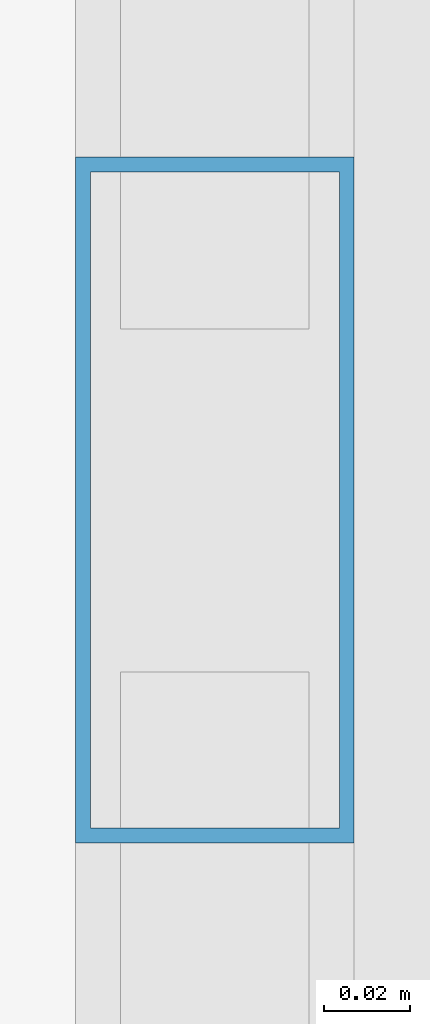
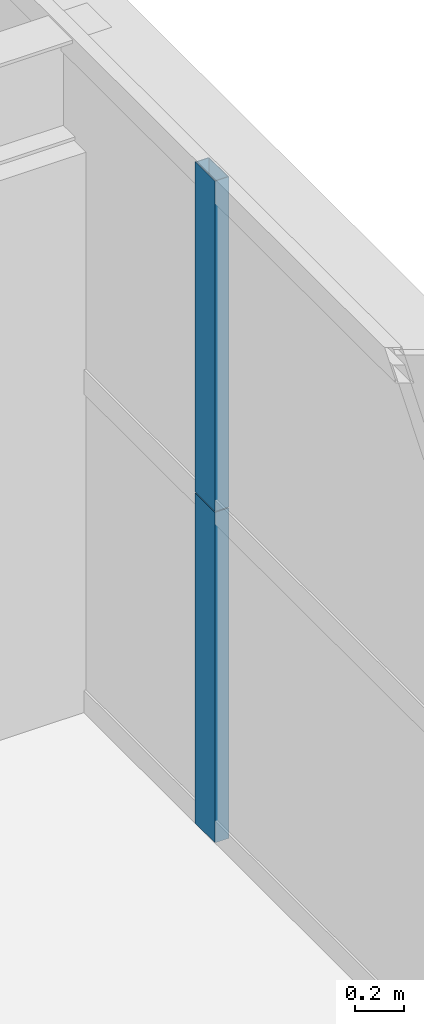
# One storey, part 18 of 38: 2 members, 1 element without a shape of its own.
"""IFC4 building model written with IfcOpenShell, lengths in metres."""

from ifc_helpers import new_model, si_unit, direction, frame, origin, origin_2d, place, context, subcontext, project, spatial, hollow_rectangle, extrude, source, transform, mapped, material, layer, layer_set, material_profile, profile_set, type_object, element, aggregate, save


model = new_model("IFC4")

# Units and contexts
model_context = context("Model", 3, precision=1e-05, world=origin(), true_north=direction((0.0, 1.0)))
body_context = subcontext(model_context, "Body", "Model", "MODEL_VIEW")
ifc_project = project(units=[si_unit("LENGTHUNIT", "METRE"), si_unit("AREAUNIT", "SQUARE_METRE"), si_unit("VOLUMEUNIT", "CUBIC_METRE"), si_unit("PLANEANGLEUNIT", "RADIAN"), si_unit("MASSUNIT", "GRAM", prefix="KILO"), si_unit("THERMODYNAMICTEMPERATUREUNIT", "KELVIN"), si_unit("POWERUNIT", "WATT")], contexts=[model_context])

# Site, building, storey
site_placement = place(None, origin())
site = spatial("IfcSite", under=ifc_project, at=site_placement, CompositionType="ELEMENT")
building_placement = place(site_placement, origin())
building = spatial("IfcBuilding", under=site, at=building_placement, Name="Yuzanri Waterfront Tower", CompositionType="ELEMENT")
storey_placement = place(building_placement, frame((0.0, 0.0, 188.0)))
storey = spatial("IfcBuildingStorey", under=building, at=storey_placement, Name="L49", CompositionType="ELEMENT", Elevation=188.0)

# Curtain wall, members
ifc_material_1 = material(Name="Anodized Architectural Bronze", Category="metal")
ifc_layer = layer(ifc_material_1, 0.159912109375)
ifc_layer_set = layer_set([ifc_layer], Name="Anodized Architectural Bronze")
curtain_wall_type = type_object("IfcCurtainWallType", Name="Anodized Bronze Mid-Rise Residential Acoustic Unitized Curtain Wall 7200", PredefinedType="NOTDEFINED", material=ifc_layer_set)
curtain_wall_placement = place(storey_placement, origin())
curtain_wall = element("IfcCurtainWall", 1, at=curtain_wall_placement, inside=storey, type_object=curtain_wall_type, Name="L49 Curtain Wall CW-L49-EL", PredefinedType="NOTDEFINED")
ifc_material_2 = material(Name="Anodized Architectural Bronze", Category="metal")
ifc_material_profile = material_profile(ifc_material_2, hollow_rectangle(XDim=0.06494140625, YDim=0.159912109375, WallThickness=0.00341796875, at=origin_2d()), Name="CWM 65x160")
ifc_profile_set = profile_set([ifc_material_profile], Name="Anodized Architectural Bronze")
member_type = type_object("IfcMemberType", Name="Anodized Bronze Upper-Zone Curtain-Wall Mullion 65x160", PredefinedType="MULLION", material=ifc_profile_set)
shared_shape = source(origin(), body_context, "Body", "SweptSolid", [
    extrude(hollow_rectangle(XDim=0.06494140625, YDim=0.159912109375, WallThickness=0.00341796875, at=origin_2d()), origin(), (0.0, 0.0, 1.0), 1.637939453125),
])
member_1_placement = place(storey_placement, frame((58.949951171875, 18.22509765625, 0.0), z_axis=(0.0, 0.0, 1.0), x_axis=(1.0, 0.0, 0.0)))
member_1 = element("IfcMember", 2, at=member_1_placement, type_object=member_type, Name="CW-L49-EL Lower Mullion 01", PredefinedType="MULLION", context=body_context, shape_type="MappedRepresentation", body=[
    mapped(shared_shape, transform((0.0, 0.0, 0.0), scale=1.0)),
])
member_2_placement = place(storey_placement, frame((58.949951171875, 18.22509765625, 1.64208984375), z_axis=(0.0, 0.0, 1.0), x_axis=(1.0, 0.0, 0.0)))
member_2 = element("IfcMember", 3, at=member_2_placement, type_object=member_type, Name="CW-L49-EL Upper Mullion 01", PredefinedType="MULLION", context=body_context, shape_type="MappedRepresentation", body=[
    mapped(shared_shape, transform((0.0, 0.0, 0.0), scale=1.0)),
])
aggregate(curtain_wall, [member_1, member_2])

save(model, "model.ifc")
